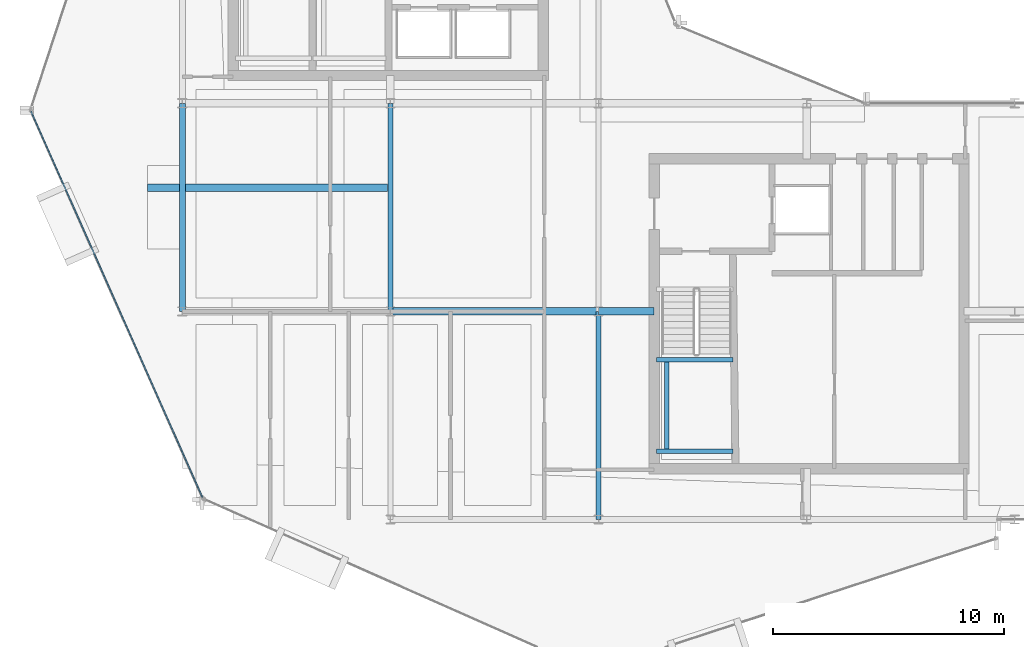
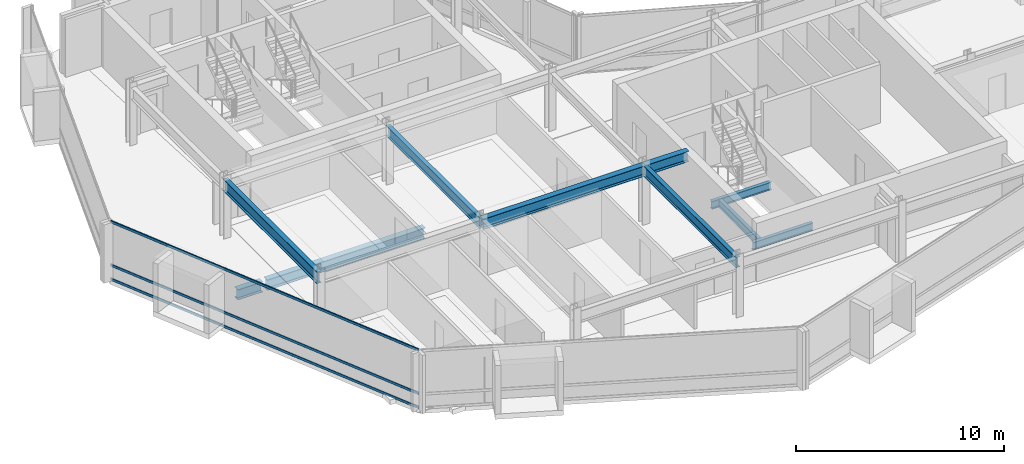
# One storey, part 5 of 27: 10 beams, 3 members, 1 element without a shape of its own.
"""IFC4 building model written with IfcOpenShell, lengths in metres."""

from ifc_helpers import new_model, si_unit, direction, frame, origin, origin_2d, place, context, subcontext, project, spatial, hollow_rectangle, i_section, extrude, material, layer, layer_set, material_profile, profile_set, type_object, element, aggregate, save


model = new_model("IFC4")

# Units and contexts
model_context = context("Model", 3, precision=1e-05, world=origin(), true_north=direction((0.0, 1.0)))
body_context = subcontext(model_context, "Body", "Model", "MODEL_VIEW")
ifc_project = project(units=[si_unit("LENGTHUNIT", "METRE"), si_unit("AREAUNIT", "SQUARE_METRE"), si_unit("VOLUMEUNIT", "CUBIC_METRE"), si_unit("PLANEANGLEUNIT", "RADIAN"), si_unit("MASSUNIT", "GRAM", prefix="KILO")], contexts=[model_context])

# Site, building, storey
site_placement = place(None, origin())
site = spatial("IfcSite", under=ifc_project, at=site_placement, CompositionType="ELEMENT")
building_placement = place(site_placement, origin())
building = spatial("IfcBuilding", under=site, at=building_placement, Name="Solvaryn Broadcast Tower", CompositionType="ELEMENT")
storey_placement = place(building_placement, frame((0.0, 0.0, 224.699951171875)))
storey = spatial("IfcBuildingStorey", under=building, at=storey_placement, Name="L56", CompositionType="ELEMENT", Elevation=224.699951171875)

# Beams
ifc_material_1 = material(Name="Steel ASTM A992 Grade 50", Category="steel")
ifc_material_profile_1 = material_profile(ifc_material_1, i_section(OverallWidth=0.323974609375, OverallDepth=0.611083984375, WebThickness=0.0126953125, FlangeThickness=0.01904296875, FilletRadius=0.014892578125, at=origin_2d()))
ifc_profile_set_1 = profile_set([ifc_material_profile_1], Name="Steel ASTM A992 Grade 50")
beam_type_1 = type_object("IfcBeamType", Name="BM-B1-W24X104", PredefinedType="BEAM", material=ifc_profile_set_1)
beam_1_placement = place(storey_placement, frame((17.875, 23.35009765625, -0.58544921875), z_axis=(-1.0, 0.0, 0.0), x_axis=(0.0, -1.0, 0.0)))
element("IfcBeam", 1, at=beam_1_placement, inside=storey, type_object=beam_type_1, Name="L56 Bay-Box Back-Span Beam 1", PredefinedType="BEAM", context=body_context, shape_type="SweptSolid", body=[
    extrude(i_section(OverallWidth=0.323974609375, OverallDepth=0.611083984375, WebThickness=0.0126953125, FlangeThickness=0.01904296875, FilletRadius=0.014892578125, at=origin_2d()), origin(), (0.0, 0.0, 1.0), 8.75),
])
beam_2_placement = place(storey_placement, frame((18.0, 18.0, 3.114501953125), z_axis=(1.0, 0.0, 0.0), x_axis=(0.0, 1.0, 0.0)))
element("IfcBeam", 2, at=beam_2_placement, inside=storey, type_object=beam_type_1, Name="L56 Primary Beam X (18-27 @ Y=18)", PredefinedType="BEAM", context=body_context, shape_type="SweptSolid", body=[
    extrude(i_section(OverallWidth=0.323974609375, OverallDepth=0.611083984375, WebThickness=0.0126953125, FlangeThickness=0.01904296875, FilletRadius=0.014892578125, at=origin_2d()), origin(), (0.0, 0.0, 1.0), 9.0),
])
beam_3_placement = place(storey_placement, frame((27.0, 18.0, 3.114501953125), z_axis=(1.0, 0.0, 0.0), x_axis=(0.0, 1.0, 0.0)))
element("IfcBeam", 3, at=beam_3_placement, inside=storey, type_object=beam_type_1, Name="L56 Core Tie Beam CTE4", PredefinedType="BEAM", context=body_context, shape_type="SweptSolid", body=[
    extrude(i_section(OverallWidth=0.323974609375, OverallDepth=0.611083984375, WebThickness=0.0126953125, FlangeThickness=0.01904296875, FilletRadius=0.014892578125, at=origin_2d()), origin(), (0.0, 0.0, 1.0), 2.39990234375),
])
ifc_material_2 = material(Name="Steel ASTM A992 Grade 50", Category="steel")
ifc_material_profile_2 = material_profile(ifc_material_2, i_section(OverallWidth=0.22802734375, OverallDepth=0.60791015625, WebThickness=0.01123046875, FlangeThickness=0.017333984375, FilletRadius=0.014892578125, at=origin_2d()))
ifc_profile_set_2 = profile_set([ifc_material_profile_2], Name="Steel ASTM A992 Grade 50")
beam_type_2 = type_object("IfcBeamType", Name="BM-B2-W24X76", PredefinedType="BEAM", material=ifc_profile_set_2)
for number, where, z_axis, x_axis, name in (
    (4, (18.0, 18.0, 3.115966796875), (0.0, 1.0, 0.0), (-1.0, 0.0, 0.0), "L56 Primary Beam Y (18-27 @ X=18)"),
    (5, (27.0, 9.0, 3.115966796875), (0.0, 1.0, 0.0), (-1.0, 0.0, 0.0), "L56 Primary Beam Y (9-18 @ X=27)"),
):
    element("IfcBeam", number, at=place(storey_placement, frame(where, z_axis=z_axis, x_axis=x_axis)), inside=storey, type_object=beam_type_2, Name=name, PredefinedType="BEAM", context=body_context, shape_type="SweptSolid", body=[
        extrude(i_section(OverallWidth=0.22802734375, OverallDepth=0.60791015625, WebThickness=0.01123046875, FlangeThickness=0.017333984375, FilletRadius=0.014892578125, at=origin_2d()), origin(), (0.0, 0.0, 1.0), 9.0),
    ])
ifc_material_3 = material(Name="Steel ASTM A992 Grade 50", Category="steel")
ifc_material_profile_3 = material_profile(ifc_material_3, i_section(OverallWidth=0.18994140625, OverallDepth=0.45703125, WebThickness=0.009033203125, FlangeThickness=0.014404296875, FilletRadius=0.011962890625, at=origin_2d()))
ifc_profile_set_3 = profile_set([ifc_material_profile_3], Name="Steel ASTM A992 Grade 50")
beam_type_3 = type_object("IfcBeamType", Name="BM-B4-W18X50", PredefinedType="BEAM", material=ifc_profile_set_3)
for number, where, z_axis, x_axis, name in (
    (6, (29.5, 11.949951171875, 1.421630859375), (1.0, 0.0, 0.0), (0.0, 1.0, 0.0), "L56 ST3 Landing Support Beam 1A"),
    (7, (29.5, 15.909912109375, 1.421630859375), (1.0, 0.0, 0.0), (0.0, 1.0, 0.0), "L56 ST3 Landing Support Beam 1B"),
):
    element("IfcBeam", number, at=place(storey_placement, frame(where, z_axis=z_axis, x_axis=x_axis)), inside=storey, type_object=beam_type_3, Name=name, PredefinedType="BEAM", context=body_context, shape_type="SweptSolid", body=[
        extrude(i_section(OverallWidth=0.18994140625, OverallDepth=0.45703125, WebThickness=0.009033203125, FlangeThickness=0.014404296875, FilletRadius=0.011962890625, at=origin_2d()), origin(), (0.0, 0.0, 1.0), 3.320068359375),
    ])
beam_4_placement = place(storey_placement, frame((29.949951171875, 11.949951171875, 1.421630859375), z_axis=(0.0, 1.0, 0.0), x_axis=(-1.0, 0.0, 0.0)))
element("IfcBeam", 8, at=beam_4_placement, inside=storey, type_object=beam_type_3, Name="L56 ST3 Landing Cross Stringer 1C", PredefinedType="BEAM", context=body_context, shape_type="SweptSolid", body=[
    extrude(i_section(OverallWidth=0.18994140625, OverallDepth=0.45703125, WebThickness=0.009033203125, FlangeThickness=0.014404296875, FilletRadius=0.011962890625, at=origin_2d()), origin(), (0.0, 0.0, 1.0), 3.9599609375),
])
ifc_material_4 = material(Name="Steel ASTM A992 Grade 50", Category="steel")
ifc_material_profile_4 = material_profile(ifc_material_4, i_section(OverallWidth=0.323974609375, OverallDepth=0.611083984375, WebThickness=0.0126953125, FlangeThickness=0.01904296875, FilletRadius=0.014892578125, at=origin_2d()))
ifc_profile_set_4 = profile_set([ifc_material_profile_4], Name="Steel ASTM A992 Grade 50")
beam_type_4 = type_object("IfcBeamType", Name="BM-CANT-TER", PredefinedType="BEAM", material=ifc_profile_set_4)
beam_5_placement = place(storey_placement, frame((8.875, 23.35009765625, -0.58544921875), z_axis=(-1.0, 0.0, 0.0), x_axis=(0.0, -1.0, 0.0)))
element("IfcBeam", 9, at=beam_5_placement, inside=storey, type_object=beam_type_4, Name="L56 Bay-Box Cantilever Bracket 1", PredefinedType="BEAM", context=body_context, shape_type="SweptSolid", body=[
    extrude(i_section(OverallWidth=0.323974609375, OverallDepth=0.611083984375, WebThickness=0.0126953125, FlangeThickness=0.01904296875, FilletRadius=0.014892578125, at=origin_2d()), origin(), (0.0, 0.0, 1.0), 1.375),
])
ifc_material_5 = material(Name="Steel ASTM A992 Grade 50", Category="steel")
ifc_material_profile_5 = material_profile(ifc_material_5, i_section(OverallWidth=0.256103515625, OverallDepth=0.693115234375, WebThickness=0.014404296875, FlangeThickness=0.023681640625, FilletRadius=0.01611328125, at=origin_2d()))
ifc_profile_set_5 = profile_set([ifc_material_profile_5], Name="Steel ASTM A992 Grade 50")
beam_type_5 = type_object("IfcBeamType", Name="BM-SP3-W27X114", PredefinedType="USERDEFINED", material=ifc_profile_set_5)
beam_6_placement = place(storey_placement, frame((9.0, 18.0, 3.073486328125), z_axis=(0.0, 1.0, 0.0), x_axis=(-1.0, 0.0, 0.0)))
element("IfcBeam", 10, at=beam_6_placement, inside=storey, type_object=beam_type_5, Name="L56 Spandrel Beam Y (18-27 @ X=9)", ObjectType="SPANDREL", PredefinedType="USERDEFINED", context=body_context, shape_type="SweptSolid", body=[
    extrude(i_section(OverallWidth=0.256103515625, OverallDepth=0.693115234375, WebThickness=0.014404296875, FlangeThickness=0.023681640625, FilletRadius=0.01611328125, at=origin_2d()), origin(), (0.0, 0.0, 1.0), 9.0),
])

# Curtain wall, members
ifc_material_6 = material(Name="Aluminium and Terracotta Unitised Curtain Wall", Category="masonry")
ifc_layer = layer(ifc_material_6, 0.199951171875)
ifc_layer_set = layer_set([ifc_layer], Name="CW-SYS2-LOWMID")
curtain_wall_type = type_object("IfcCurtainWallType", Name="CW-SYS2-LOWMID", PredefinedType="NOTDEFINED", material=ifc_layer_set)
curtain_wall_placement = place(storey_placement, origin())
curtain_wall = element("IfcCurtainWall", 11, at=curtain_wall_placement, inside=storey, type_object=curtain_wall_type, Name="L56 Curtain Wall DR2", PredefinedType="NOTDEFINED")
ifc_material_7 = material(Name="Anodised Aluminium 6063-T6", Category="aluminium")
ifc_material_profile_6 = material_profile(ifc_material_7, hollow_rectangle(XDim=0.06494140625, YDim=0.14990234375, WallThickness=0.00390625, InnerFilletRadius=0.00390625, OuterFilletRadius=0.008056640625, at=origin_2d()))
ifc_profile_set_6 = profile_set([ifc_material_profile_6], Name="Anodised Aluminium 6063-T6")
member_type = type_object("IfcMemberType", Name="CW-TRN-150", PredefinedType="USERDEFINED", material=ifc_profile_set_6)
member_1_placement = place(storey_placement, frame((2.457275390625, 26.651123046875, 0.030029296875), z_axis=(0.405901653299, -0.913916761992, 0.0), x_axis=(0.913916761992, 0.405901653299, 0.0)))
member_1 = element("IfcMember", 12, at=member_1_placement, type_object=member_type, Name="CWS2 transom 1.1", ObjectType="TRANSOM", PredefinedType="USERDEFINED", context=body_context, shape_type="SweptSolid", body=[
    extrude(hollow_rectangle(XDim=0.06494140625, YDim=0.14990234375, WallThickness=0.00390625, InnerFilletRadius=0.00390625, OuterFilletRadius=0.008056640625, at=origin_2d()), origin(), (0.0, 0.0, 1.0), 18.27099609375),
])
member_2_placement = place(storey_placement, frame((2.457275390625, 26.651123046875, 0.85009765625), z_axis=(0.405901653299, -0.913916761992, 0.0), x_axis=(0.913916761992, 0.405901653299, 0.0)))
member_2 = element("IfcMember", 13, at=member_2_placement, type_object=member_type, Name="CWS2 transom 1.2", ObjectType="TRANSOM", PredefinedType="USERDEFINED", context=body_context, shape_type="SweptSolid", body=[
    extrude(hollow_rectangle(XDim=0.06494140625, YDim=0.14990234375, WallThickness=0.00390625, InnerFilletRadius=0.00390625, OuterFilletRadius=0.008056640625, at=origin_2d()), origin(), (0.0, 0.0, 1.0), 18.27099609375),
])
member_3_placement = place(storey_placement, frame((2.457275390625, 26.651123046875, 3.39013671875), z_axis=(0.405901653299, -0.913916761992, 0.0), x_axis=(0.913916761992, 0.405901653299, 0.0)))
member_3 = element("IfcMember", 14, at=member_3_placement, type_object=member_type, Name="CWS2 transom 1.3", ObjectType="TRANSOM", PredefinedType="USERDEFINED", context=body_context, shape_type="SweptSolid", body=[
    extrude(hollow_rectangle(XDim=0.06494140625, YDim=0.14990234375, WallThickness=0.00390625, InnerFilletRadius=0.00390625, OuterFilletRadius=0.008056640625, at=origin_2d()), origin(), (0.0, 0.0, 1.0), 18.27099609375),
])
aggregate(curtain_wall, [member_1, member_2, member_3])

save(model, "model.ifc")
